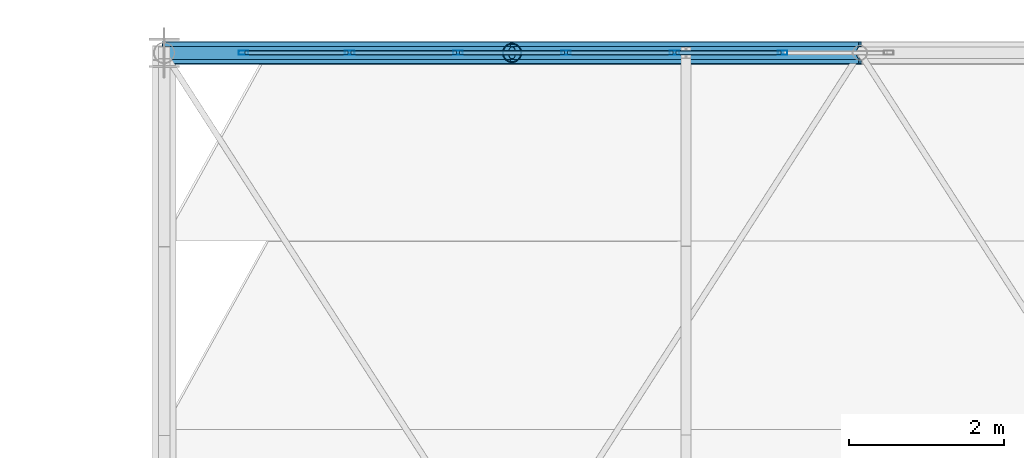
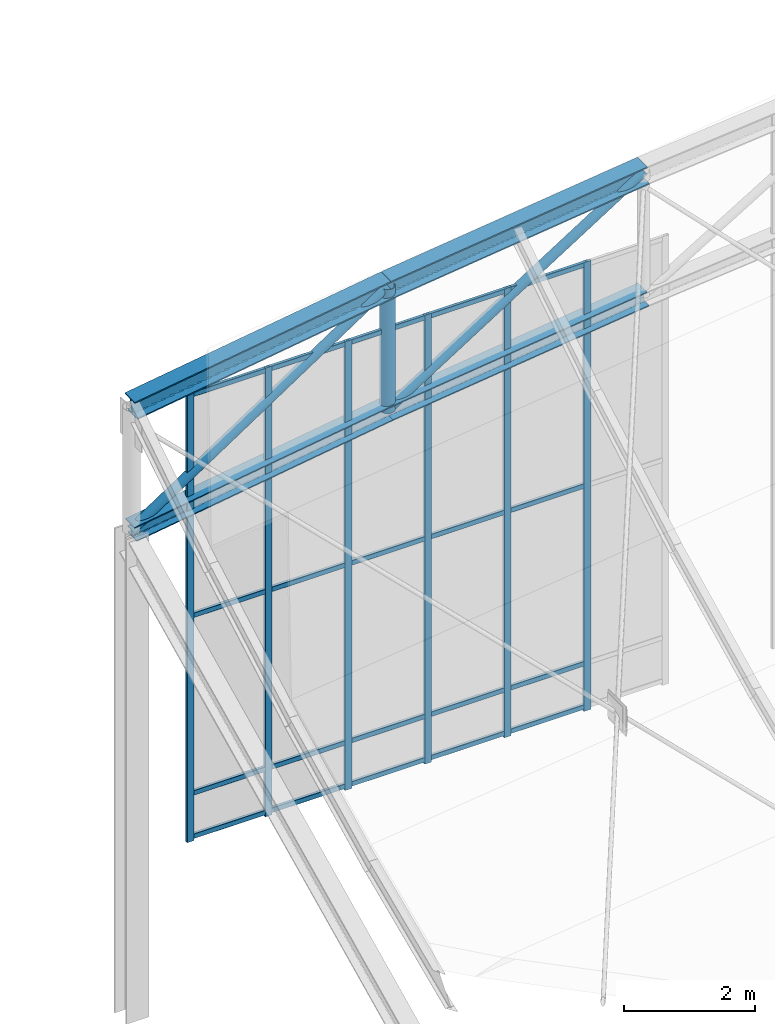
# One storey, part 204 of 262: 33 members, 1 element without a shape of its own.
"""IFC4 building model written with IfcOpenShell, lengths in metres."""

from ifc_helpers import new_model, si_unit, derived_unit, direction, frame, origin, origin_2d, place, context, subcontext, project, spatial, hollow_rectangle, hollow_circle, i_section, extrude, material, layer, layer_set, material_profile, profile_set, type_object, element, aggregate, save


model = new_model("IFC4")

# Units and contexts
model_context = context("Model", 3, precision=1e-05, world=origin(), true_north=direction((0.0, 1.0)))
body_context = subcontext(model_context, "Body", "Model", "MODEL_VIEW")
ifc_project = project(units=[si_unit("LENGTHUNIT", "METRE"), si_unit("AREAUNIT", "SQUARE_METRE"), si_unit("VOLUMEUNIT", "CUBIC_METRE"), si_unit("PLANEANGLEUNIT", "RADIAN"), si_unit("MASSUNIT", "GRAM", prefix="KILO"), derived_unit("THERMALTRANSMITTANCEUNIT", [(si_unit("POWERUNIT", "WATT"), 1), (si_unit("LENGTHUNIT", "METRE"), -2), (si_unit("THERMODYNAMICTEMPERATUREUNIT", "KELVIN"), -1)])], contexts=[model_context])

# Site, building, storey
site_placement = place(None, origin())
site = spatial("IfcSite", under=ifc_project, at=site_placement, CompositionType="ELEMENT")
building_placement = place(site_placement, origin())
building = spatial("IfcBuilding", under=site, at=building_placement, Name="Almenara Railside Exhibition Hall", CompositionType="ELEMENT")
storey_placement = place(building_placement, frame((0.0, 0.0, 21.699951171875)))
storey = spatial("IfcBuildingStorey", under=building, at=storey_placement, Name="RF", CompositionType="ELEMENT", Elevation=21.699951171875)

# Members
ifc_material_1 = material(Name="Structural steel S355JR", Category="steel")
ifc_material_profile_1 = material_profile(ifc_material_1, i_section(OverallWidth=0.280029296875, OverallDepth=0.280029296875, WebThickness=0.010498046875, FlangeThickness=0.01806640625, FilletRadius=0.02392578125, at=origin_2d()), Name="HEB 280")
ifc_profile_set_1 = profile_set([ifc_material_profile_1], Name="Structural steel S355JR")
member_type_1 = type_object("IfcMemberType", Name="Arched Gable Bottom Chord HEB 280 S355JR", PredefinedType="CHORD", material=ifc_profile_set_1)
member_1_placement = place(storey_placement, frame((138.0, 132.0, -0.599853515625), z_axis=(0.9890290442, 0.0, 0.147721189165), x_axis=(0.0, 1.0, 0.0)))
element("IfcMember", 1, at=member_1_placement, inside=storey, type_object=member_type_1, Name="MEM-BC-V2-07-00", PredefinedType="CHORD", context=body_context, shape_type="SweptSolid", body=[
    extrude(i_section(OverallWidth=0.280029296875, OverallDepth=0.280029296875, WebThickness=0.010498046875, FlangeThickness=0.01806640625, FilletRadius=0.02392578125, at=origin_2d()), origin(), (0.0, 0.0, 1.0), 4.5498046875),
])
member_2_placement = place(storey_placement, frame((142.5, 132.0, 0.072265625), z_axis=(0.992612220818, 0.0, 0.121330041965), x_axis=(0.0, 1.0, 0.0)))
element("IfcMember", 2, at=member_2_placement, inside=storey, type_object=member_type_1, Name="MEM-BC-V2-07-01", PredefinedType="CHORD", context=body_context, shape_type="SweptSolid", body=[
    extrude(i_section(OverallWidth=0.280029296875, OverallDepth=0.280029296875, WebThickness=0.010498046875, FlangeThickness=0.01806640625, FilletRadius=0.02392578125, at=origin_2d()), origin(), (0.0, 0.0, 1.0), 4.533447265625),
])
ifc_material_profile_2 = material_profile(ifc_material_1, i_section(OverallWidth=0.300048828125, OverallDepth=0.340087890625, WebThickness=0.011962890625, FlangeThickness=0.021484375, FilletRadius=0.027099609375, at=origin_2d()), Name="HEB 340")
ifc_profile_set_2 = profile_set([ifc_material_profile_2], Name="Structural steel S355JR")
member_type_2 = type_object("IfcMemberType", Name="Arched Gable Top Chord HEB 340 S355JR", PredefinedType="CHORD", material=ifc_profile_set_2)
member_3_placement = place(storey_placement, frame((138.0, 132.0, 1.699951171875), z_axis=(0.989021203369, 0.0, 0.147773675894), x_axis=(0.0, 1.0, 0.0)))
element("IfcMember", 3, at=member_3_placement, inside=storey, type_object=member_type_2, Name="MEM-TC-V2-07-00", PredefinedType="CHORD", context=body_context, shape_type="SweptSolid", body=[
    extrude(i_section(OverallWidth=0.300048828125, OverallDepth=0.340087890625, WebThickness=0.011962890625, FlangeThickness=0.021484375, FilletRadius=0.027099609375, at=origin_2d()), origin(), (0.0, 0.0, 1.0), 4.550048828125),
])
member_4_placement = place(storey_placement, frame((142.5, 132.0, 2.372314453125), z_axis=(0.992612220818, 0.0, 0.121330041965), x_axis=(0.0, 1.0, 0.0)))
element("IfcMember", 4, at=member_4_placement, inside=storey, type_object=member_type_2, Name="MEM-TC-V2-07-01", PredefinedType="CHORD", context=body_context, shape_type="SweptSolid", body=[
    extrude(i_section(OverallWidth=0.300048828125, OverallDepth=0.340087890625, WebThickness=0.011962890625, FlangeThickness=0.021484375, FilletRadius=0.027099609375, at=origin_2d()), origin(), (0.0, 0.0, 1.0), 4.533447265625),
])

# Curtain wall, members
ifc_material_2 = material(Name="Bronze-anodised aluminium and low-E double glazing", Category="aluminium")
ifc_layer = layer(ifc_material_2, 0.179931640625, Name="Bronze-anodised aluminium and low-E double glazing")
ifc_layer_set = layer_set([ifc_layer], Name="Bronze-anodised aluminium and low-E double glazing")
curtain_wall_type = type_object("IfcCurtainWallType", Name="Scroll Gable Standard Curtain Wall 3600x5000", PredefinedType="NOTDEFINED", material=ifc_layer_set)
curtain_wall_placement = place(storey_placement, origin())
curtain_wall = element("IfcCurtainWall", 5, at=curtain_wall_placement, inside=storey, type_object=curtain_wall_type, Name="Curtain wall CW-G2-223", PredefinedType="NOTDEFINED")
ifc_material_3 = material(Name="Bronze-anodised aluminium", Category="aluminium")
ifc_material_profile_3 = material_profile(ifc_material_3, hollow_rectangle(XDim=0.054931640625, YDim=0.125, WallThickness=0.0029296875, InnerFilletRadius=0.0029296875, OuterFilletRadius=0.006103515625, at=origin_2d()), Name="ALU-MUL 55x125x3")
ifc_profile_set_3 = profile_set([ifc_material_profile_3], Name="Bronze-anodised aluminium")
member_type_3 = type_object("IfcMemberType", Name="Curtain Wall Mullion 55x125x3", PredefinedType="MULLION", material=ifc_profile_set_3)
member_5_placement = place(storey_placement, frame((139.027587890625, 132.0, -6.73486328125), z_axis=(0.0, 0.0, 1.0), x_axis=(0.0, 1.0, 0.0)))
member_5 = element("IfcMember", 6, at=member_5_placement, type_object=member_type_3, Name="CW-G2-223 mullion 1", PredefinedType="MULLION", context=body_context, shape_type="SweptSolid", body=[
    extrude(hollow_rectangle(XDim=0.054931640625, YDim=0.125, WallThickness=0.0029296875, InnerFilletRadius=0.0029296875, OuterFilletRadius=0.006103515625, at=origin_2d()), origin(), (0.0, 0.0, 1.0), 8.3349609375),
])
member_6_placement = place(storey_placement, frame((140.39990234375, 132.0, -6.73486328125), z_axis=(0.0, 0.0, 1.0), x_axis=(0.0, 1.0, 0.0)))
member_6 = element("IfcMember", 7, at=member_6_placement, type_object=member_type_3, Name="CW-G2-223 mullion 2", PredefinedType="MULLION", context=body_context, shape_type="SweptSolid", body=[
    extrude(hollow_rectangle(XDim=0.054931640625, YDim=0.125, WallThickness=0.0029296875, InnerFilletRadius=0.0029296875, OuterFilletRadius=0.006103515625, at=origin_2d()), origin(), (0.0, 0.0, 1.0), 8.3349609375),
])
member_7_placement = place(storey_placement, frame((141.800048828125, 132.0, -6.73486328125), z_axis=(0.0, 0.0, 1.0), x_axis=(0.0, 1.0, 0.0)))
member_7 = element("IfcMember", 8, at=member_7_placement, type_object=member_type_3, Name="CW-G2-223 mullion 3", PredefinedType="MULLION", context=body_context, shape_type="SweptSolid", body=[
    extrude(hollow_rectangle(XDim=0.054931640625, YDim=0.125, WallThickness=0.0029296875, InnerFilletRadius=0.0029296875, OuterFilletRadius=0.006103515625, at=origin_2d()), origin(), (0.0, 0.0, 1.0), 8.3349609375),
])
member_8_placement = place(storey_placement, frame((143.199951171875, 132.0, -6.73486328125), z_axis=(0.0, 0.0, 1.0), x_axis=(0.0, 1.0, 0.0)))
member_8 = element("IfcMember", 9, at=member_8_placement, type_object=member_type_3, Name="CW-G2-223 mullion 4", PredefinedType="MULLION", context=body_context, shape_type="SweptSolid", body=[
    extrude(hollow_rectangle(XDim=0.054931640625, YDim=0.125, WallThickness=0.0029296875, InnerFilletRadius=0.0029296875, OuterFilletRadius=0.006103515625, at=origin_2d()), origin(), (0.0, 0.0, 1.0), 8.3349609375),
])
member_9_placement = place(storey_placement, frame((144.60009765625, 132.0, -6.73486328125), z_axis=(0.0, 0.0, 1.0), x_axis=(0.0, 1.0, 0.0)))
member_9 = element("IfcMember", 10, at=member_9_placement, type_object=member_type_3, Name="CW-G2-223 mullion 5", PredefinedType="MULLION", context=body_context, shape_type="SweptSolid", body=[
    extrude(hollow_rectangle(XDim=0.054931640625, YDim=0.125, WallThickness=0.0029296875, InnerFilletRadius=0.0029296875, OuterFilletRadius=0.006103515625, at=origin_2d()), origin(), (0.0, 0.0, 1.0), 8.3349609375),
])
member_10_placement = place(storey_placement, frame((146.0, 132.0, -6.73486328125), z_axis=(0.0, 0.0, 1.0), x_axis=(0.0, 1.0, 0.0)))
member_10 = element("IfcMember", 11, at=member_10_placement, type_object=member_type_3, Name="CW-G2-223 mullion 6", PredefinedType="MULLION", context=body_context, shape_type="SweptSolid", body=[
    extrude(hollow_rectangle(XDim=0.054931640625, YDim=0.125, WallThickness=0.0029296875, InnerFilletRadius=0.0029296875, OuterFilletRadius=0.006103515625, at=origin_2d()), origin(), (0.0, 0.0, 1.0), 8.3349609375),
])
ifc_material_profile_4 = material_profile(ifc_material_3, hollow_rectangle(XDim=0.054931640625, YDim=0.090087890625, WallThickness=0.0029296875, InnerFilletRadius=0.0029296875, OuterFilletRadius=0.006103515625, at=origin_2d()), Name="ALU-TRN 55x90x3")
ifc_profile_set_4 = profile_set([ifc_material_profile_4], Name="Bronze-anodised aluminium")
member_type_4 = type_object("IfcMemberType", Name="Curtain Wall Transom 55x90x3", PredefinedType="USERDEFINED", material=ifc_profile_set_4)
member_11_placement = place(storey_placement, frame((139.047119140625, 132.0, -6.655029296875), z_axis=(1.0, 0.0, 0.0), x_axis=(0.0, 1.0, 0.0)))
member_11 = element("IfcMember", 12, at=member_11_placement, type_object=member_type_4, Name="CW-G2-223 transom 1.1", ObjectType="TRANSOM", PredefinedType="USERDEFINED", context=body_context, shape_type="SweptSolid", body=[
    extrude(hollow_rectangle(XDim=0.054931640625, YDim=0.090087890625, WallThickness=0.0029296875, InnerFilletRadius=0.0029296875, OuterFilletRadius=0.006103515625, at=origin_2d()), origin(), (0.0, 0.0, 1.0), 1.33349609375),
])
member_12_placement = place(storey_placement, frame((139.047119140625, 132.0, -5.849853515625), z_axis=(1.0, 0.0, 0.0), x_axis=(0.0, 1.0, 0.0)))
member_12 = element("IfcMember", 13, at=member_12_placement, type_object=member_type_4, Name="CW-G2-223 transom 1.2", ObjectType="TRANSOM", PredefinedType="USERDEFINED", context=body_context, shape_type="SweptSolid", body=[
    extrude(hollow_rectangle(XDim=0.054931640625, YDim=0.090087890625, WallThickness=0.0029296875, InnerFilletRadius=0.0029296875, OuterFilletRadius=0.006103515625, at=origin_2d()), origin(), (0.0, 0.0, 1.0), 1.33349609375),
])
member_13_placement = place(storey_placement, frame((139.047119140625, 132.0, -2.550048828125), z_axis=(1.0, 0.0, 0.0), x_axis=(0.0, 1.0, 0.0)))
member_13 = element("IfcMember", 14, at=member_13_placement, type_object=member_type_4, Name="CW-G2-223 transom 1.3", ObjectType="TRANSOM", PredefinedType="USERDEFINED", context=body_context, shape_type="SweptSolid", body=[
    extrude(hollow_rectangle(XDim=0.054931640625, YDim=0.090087890625, WallThickness=0.0029296875, InnerFilletRadius=0.0029296875, OuterFilletRadius=0.006103515625, at=origin_2d()), origin(), (0.0, 0.0, 1.0), 1.33349609375),
])
member_14_placement = place(storey_placement, frame((139.047119140625, 132.0, 1.554931640625), z_axis=(1.0, 0.0, 0.0), x_axis=(0.0, 1.0, 0.0)))
member_14 = element("IfcMember", 15, at=member_14_placement, type_object=member_type_4, Name="CW-G2-223 transom 1.4", ObjectType="TRANSOM", PredefinedType="USERDEFINED", context=body_context, shape_type="SweptSolid", body=[
    extrude(hollow_rectangle(XDim=0.054931640625, YDim=0.090087890625, WallThickness=0.0029296875, InnerFilletRadius=0.0029296875, OuterFilletRadius=0.006103515625, at=origin_2d()), origin(), (0.0, 0.0, 1.0), 1.33349609375),
])
member_15_placement = place(storey_placement, frame((140.41943359375, 132.0, -6.655029296875), z_axis=(1.0, 0.0, 0.0), x_axis=(0.0, 1.0, 0.0)))
member_15 = element("IfcMember", 16, at=member_15_placement, type_object=member_type_4, Name="CW-G2-223 transom 2.1", ObjectType="TRANSOM", PredefinedType="USERDEFINED", context=body_context, shape_type="SweptSolid", body=[
    extrude(hollow_rectangle(XDim=0.054931640625, YDim=0.090087890625, WallThickness=0.0029296875, InnerFilletRadius=0.0029296875, OuterFilletRadius=0.006103515625, at=origin_2d()), origin(), (0.0, 0.0, 1.0), 1.361083984375),
])
member_16_placement = place(storey_placement, frame((140.41943359375, 132.0, -5.849853515625), z_axis=(1.0, 0.0, 0.0), x_axis=(0.0, 1.0, 0.0)))
member_16 = element("IfcMember", 17, at=member_16_placement, type_object=member_type_4, Name="CW-G2-223 transom 2.2", ObjectType="TRANSOM", PredefinedType="USERDEFINED", context=body_context, shape_type="SweptSolid", body=[
    extrude(hollow_rectangle(XDim=0.054931640625, YDim=0.090087890625, WallThickness=0.0029296875, InnerFilletRadius=0.0029296875, OuterFilletRadius=0.006103515625, at=origin_2d()), origin(), (0.0, 0.0, 1.0), 1.361083984375),
])
member_17_placement = place(storey_placement, frame((140.41943359375, 132.0, -2.550048828125), z_axis=(1.0, 0.0, 0.0), x_axis=(0.0, 1.0, 0.0)))
member_17 = element("IfcMember", 18, at=member_17_placement, type_object=member_type_4, Name="CW-G2-223 transom 2.3", ObjectType="TRANSOM", PredefinedType="USERDEFINED", context=body_context, shape_type="SweptSolid", body=[
    extrude(hollow_rectangle(XDim=0.054931640625, YDim=0.090087890625, WallThickness=0.0029296875, InnerFilletRadius=0.0029296875, OuterFilletRadius=0.006103515625, at=origin_2d()), origin(), (0.0, 0.0, 1.0), 1.361083984375),
])
member_18_placement = place(storey_placement, frame((140.41943359375, 132.0, 1.554931640625), z_axis=(1.0, 0.0, 0.0), x_axis=(0.0, 1.0, 0.0)))
member_18 = element("IfcMember", 19, at=member_18_placement, type_object=member_type_4, Name="CW-G2-223 transom 2.4", ObjectType="TRANSOM", PredefinedType="USERDEFINED", context=body_context, shape_type="SweptSolid", body=[
    extrude(hollow_rectangle(XDim=0.054931640625, YDim=0.090087890625, WallThickness=0.0029296875, InnerFilletRadius=0.0029296875, OuterFilletRadius=0.006103515625, at=origin_2d()), origin(), (0.0, 0.0, 1.0), 1.361083984375),
])
member_19_placement = place(storey_placement, frame((141.819580078125, 132.0, -6.655029296875), z_axis=(1.0, 0.0, 0.0), x_axis=(0.0, 1.0, 0.0)))
member_19 = element("IfcMember", 20, at=member_19_placement, type_object=member_type_4, Name="CW-G2-223 transom 3.1", ObjectType="TRANSOM", PredefinedType="USERDEFINED", context=body_context, shape_type="SweptSolid", body=[
    extrude(hollow_rectangle(XDim=0.054931640625, YDim=0.090087890625, WallThickness=0.0029296875, InnerFilletRadius=0.0029296875, OuterFilletRadius=0.006103515625, at=origin_2d()), origin(), (0.0, 0.0, 1.0), 1.36083984375),
])
member_20_placement = place(storey_placement, frame((141.819580078125, 132.0, -5.849853515625), z_axis=(1.0, 0.0, 0.0), x_axis=(0.0, 1.0, 0.0)))
member_20 = element("IfcMember", 21, at=member_20_placement, type_object=member_type_4, Name="CW-G2-223 transom 3.2", ObjectType="TRANSOM", PredefinedType="USERDEFINED", context=body_context, shape_type="SweptSolid", body=[
    extrude(hollow_rectangle(XDim=0.054931640625, YDim=0.090087890625, WallThickness=0.0029296875, InnerFilletRadius=0.0029296875, OuterFilletRadius=0.006103515625, at=origin_2d()), origin(), (0.0, 0.0, 1.0), 1.36083984375),
])
member_21_placement = place(storey_placement, frame((141.819580078125, 132.0, -2.550048828125), z_axis=(1.0, 0.0, 0.0), x_axis=(0.0, 1.0, 0.0)))
member_21 = element("IfcMember", 22, at=member_21_placement, type_object=member_type_4, Name="CW-G2-223 transom 3.3", ObjectType="TRANSOM", PredefinedType="USERDEFINED", context=body_context, shape_type="SweptSolid", body=[
    extrude(hollow_rectangle(XDim=0.054931640625, YDim=0.090087890625, WallThickness=0.0029296875, InnerFilletRadius=0.0029296875, OuterFilletRadius=0.006103515625, at=origin_2d()), origin(), (0.0, 0.0, 1.0), 1.36083984375),
])
member_22_placement = place(storey_placement, frame((141.819580078125, 132.0, 1.554931640625), z_axis=(1.0, 0.0, 0.0), x_axis=(0.0, 1.0, 0.0)))
member_22 = element("IfcMember", 23, at=member_22_placement, type_object=member_type_4, Name="CW-G2-223 transom 3.4", ObjectType="TRANSOM", PredefinedType="USERDEFINED", context=body_context, shape_type="SweptSolid", body=[
    extrude(hollow_rectangle(XDim=0.054931640625, YDim=0.090087890625, WallThickness=0.0029296875, InnerFilletRadius=0.0029296875, OuterFilletRadius=0.006103515625, at=origin_2d()), origin(), (0.0, 0.0, 1.0), 1.36083984375),
])
member_23_placement = place(storey_placement, frame((143.219482421875, 132.0, -6.655029296875), z_axis=(1.0, 0.0, 0.0), x_axis=(0.0, 1.0, 0.0)))
member_23 = element("IfcMember", 24, at=member_23_placement, type_object=member_type_4, Name="CW-G2-223 transom 4.1", ObjectType="TRANSOM", PredefinedType="USERDEFINED", context=body_context, shape_type="SweptSolid", body=[
    extrude(hollow_rectangle(XDim=0.054931640625, YDim=0.090087890625, WallThickness=0.0029296875, InnerFilletRadius=0.0029296875, OuterFilletRadius=0.006103515625, at=origin_2d()), origin(), (0.0, 0.0, 1.0), 1.361083984375),
])
member_24_placement = place(storey_placement, frame((143.219482421875, 132.0, -5.849853515625), z_axis=(1.0, 0.0, 0.0), x_axis=(0.0, 1.0, 0.0)))
member_24 = element("IfcMember", 25, at=member_24_placement, type_object=member_type_4, Name="CW-G2-223 transom 4.2", ObjectType="TRANSOM", PredefinedType="USERDEFINED", context=body_context, shape_type="SweptSolid", body=[
    extrude(hollow_rectangle(XDim=0.054931640625, YDim=0.090087890625, WallThickness=0.0029296875, InnerFilletRadius=0.0029296875, OuterFilletRadius=0.006103515625, at=origin_2d()), origin(), (0.0, 0.0, 1.0), 1.361083984375),
])
member_25_placement = place(storey_placement, frame((143.219482421875, 132.0, -2.550048828125), z_axis=(1.0, 0.0, 0.0), x_axis=(0.0, 1.0, 0.0)))
member_25 = element("IfcMember", 26, at=member_25_placement, type_object=member_type_4, Name="CW-G2-223 transom 4.3", ObjectType="TRANSOM", PredefinedType="USERDEFINED", context=body_context, shape_type="SweptSolid", body=[
    extrude(hollow_rectangle(XDim=0.054931640625, YDim=0.090087890625, WallThickness=0.0029296875, InnerFilletRadius=0.0029296875, OuterFilletRadius=0.006103515625, at=origin_2d()), origin(), (0.0, 0.0, 1.0), 1.361083984375),
])
member_26_placement = place(storey_placement, frame((143.219482421875, 132.0, 1.554931640625), z_axis=(1.0, 0.0, 0.0), x_axis=(0.0, 1.0, 0.0)))
member_26 = element("IfcMember", 27, at=member_26_placement, type_object=member_type_4, Name="CW-G2-223 transom 4.4", ObjectType="TRANSOM", PredefinedType="USERDEFINED", context=body_context, shape_type="SweptSolid", body=[
    extrude(hollow_rectangle(XDim=0.054931640625, YDim=0.090087890625, WallThickness=0.0029296875, InnerFilletRadius=0.0029296875, OuterFilletRadius=0.006103515625, at=origin_2d()), origin(), (0.0, 0.0, 1.0), 1.361083984375),
])
member_27_placement = place(storey_placement, frame((144.619384765625, 132.0, -6.655029296875), z_axis=(1.0, 0.0, 0.0), x_axis=(0.0, 1.0, 0.0)))
member_27 = element("IfcMember", 28, at=member_27_placement, type_object=member_type_4, Name="CW-G2-223 transom 5.1", ObjectType="TRANSOM", PredefinedType="USERDEFINED", context=body_context, shape_type="SweptSolid", body=[
    extrude(hollow_rectangle(XDim=0.054931640625, YDim=0.090087890625, WallThickness=0.0029296875, InnerFilletRadius=0.0029296875, OuterFilletRadius=0.006103515625, at=origin_2d()), origin(), (0.0, 0.0, 1.0), 1.361083984375),
])
member_28_placement = place(storey_placement, frame((144.619384765625, 132.0, -5.849853515625), z_axis=(1.0, 0.0, 0.0), x_axis=(0.0, 1.0, 0.0)))
member_28 = element("IfcMember", 29, at=member_28_placement, type_object=member_type_4, Name="CW-G2-223 transom 5.2", ObjectType="TRANSOM", PredefinedType="USERDEFINED", context=body_context, shape_type="SweptSolid", body=[
    extrude(hollow_rectangle(XDim=0.054931640625, YDim=0.090087890625, WallThickness=0.0029296875, InnerFilletRadius=0.0029296875, OuterFilletRadius=0.006103515625, at=origin_2d()), origin(), (0.0, 0.0, 1.0), 1.361083984375),
])
member_29_placement = place(storey_placement, frame((144.619384765625, 132.0, -2.550048828125), z_axis=(1.0, 0.0, 0.0), x_axis=(0.0, 1.0, 0.0)))
member_29 = element("IfcMember", 30, at=member_29_placement, type_object=member_type_4, Name="CW-G2-223 transom 5.3", ObjectType="TRANSOM", PredefinedType="USERDEFINED", context=body_context, shape_type="SweptSolid", body=[
    extrude(hollow_rectangle(XDim=0.054931640625, YDim=0.090087890625, WallThickness=0.0029296875, InnerFilletRadius=0.0029296875, OuterFilletRadius=0.006103515625, at=origin_2d()), origin(), (0.0, 0.0, 1.0), 1.361083984375),
])
member_30_placement = place(storey_placement, frame((144.619384765625, 132.0, 1.554931640625), z_axis=(1.0, 0.0, 0.0), x_axis=(0.0, 1.0, 0.0)))
member_30 = element("IfcMember", 31, at=member_30_placement, type_object=member_type_4, Name="CW-G2-223 transom 5.4", ObjectType="TRANSOM", PredefinedType="USERDEFINED", context=body_context, shape_type="SweptSolid", body=[
    extrude(hollow_rectangle(XDim=0.054931640625, YDim=0.090087890625, WallThickness=0.0029296875, InnerFilletRadius=0.0029296875, OuterFilletRadius=0.006103515625, at=origin_2d()), origin(), (0.0, 0.0, 1.0), 1.361083984375),
])
aggregate(curtain_wall, [member_5, member_6, member_7, member_8, member_9, member_10, member_11, member_12, member_13, member_14, member_15, member_16, member_17, member_18, member_19, member_20, member_21, member_22, member_23, member_24, member_25, member_26, member_27, member_28, member_29, member_30])

# Members
ifc_material_profile_5 = material_profile(ifc_material_1, hollow_circle(Radius=0.084228515625, WallThickness=0.006103515625, at=origin_2d()), Name="CHS 168.3x6")
ifc_profile_set_5 = profile_set([ifc_material_profile_5], Name="Structural steel S355JR")
member_type_5 = type_object("IfcMemberType", Name="Truss End Diagonal CHS 168.3x6 S355JR", PredefinedType="BRACE", material=ifc_profile_set_5)
member_31_placement = place(storey_placement, frame((138.0, 132.0, -0.599853515625), z_axis=(0.834424544227, 0.0, 0.551122200598), x_axis=(0.0, 1.0, 0.0)))
element("IfcMember", 32, at=member_31_placement, inside=storey, type_object=member_type_5, Name="MEM-TD-V2-07-00", PredefinedType="BRACE", context=body_context, shape_type="SweptSolid", body=[
    extrude(hollow_circle(Radius=0.084228515625, WallThickness=0.006103515625, at=origin_2d()), origin(), (0.0, 0.0, 1.0), 5.392822265625),
])
member_32_placement = place(storey_placement, frame((142.5, 132.0, 0.072265625), z_axis=(0.844810788273, 0.0, 0.535065166141), x_axis=(0.0, 1.0, 0.0)))
element("IfcMember", 33, at=member_32_placement, inside=storey, type_object=member_type_5, Name="MEM-TD-V2-07-01", PredefinedType="BRACE", context=body_context, shape_type="SweptSolid", body=[
    extrude(hollow_circle(Radius=0.084228515625, WallThickness=0.006103515625, at=origin_2d()), origin(), (0.0, 0.0, 1.0), 5.32666015625),
])
ifc_material_profile_6 = material_profile(ifc_material_1, hollow_circle(Radius=0.122314453125, WallThickness=0.008056640625, at=origin_2d()), Name="CHS 244.5x8")
ifc_profile_set_6 = profile_set([ifc_material_profile_6], Name="Structural steel S355JR")
member_type_6 = type_object("IfcMemberType", Name="Truss Haunch Vertical Strut CHS 244.5x8 S355JR", PredefinedType="BRACE", material=ifc_profile_set_6)
member_33_placement = place(storey_placement, frame((142.5, 132.0, 0.072265625), z_axis=(0.0, 0.0, 1.0), x_axis=(1.0, 0.0, 0.0)))
element("IfcMember", 34, at=member_33_placement, inside=storey, type_object=member_type_6, Name="MEM-TV-V2-07-01", PredefinedType="BRACE", context=body_context, shape_type="SweptSolid", body=[
    extrude(hollow_circle(Radius=0.122314453125, WallThickness=0.008056640625, at=origin_2d()), origin(), (0.0, 0.0, 1.0), 2.300048828125),
])

save(model, "model.ifc")
